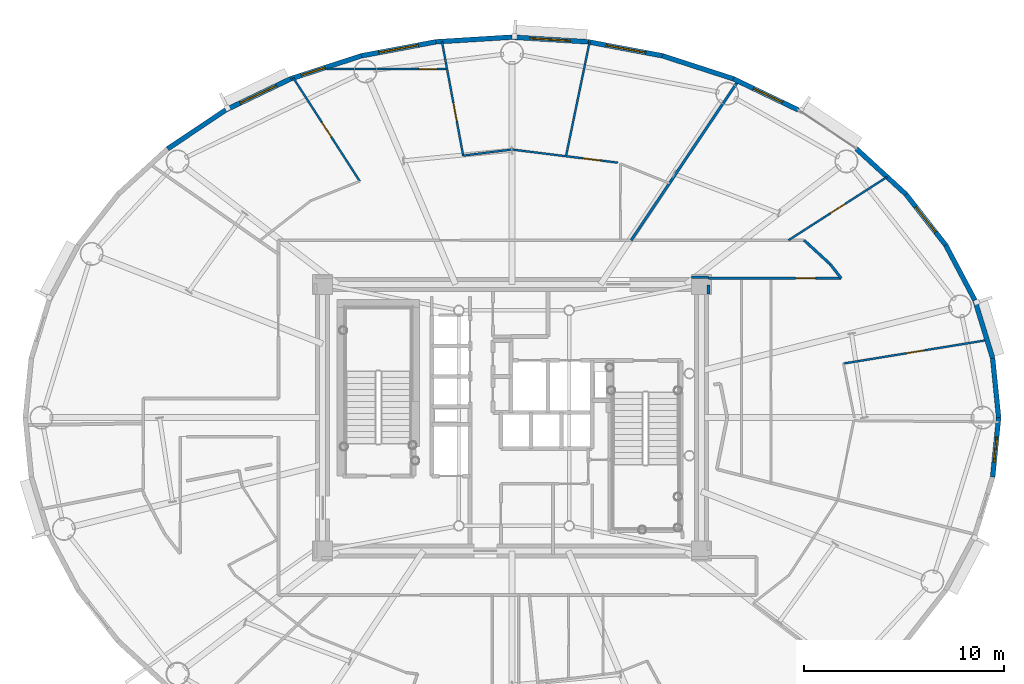
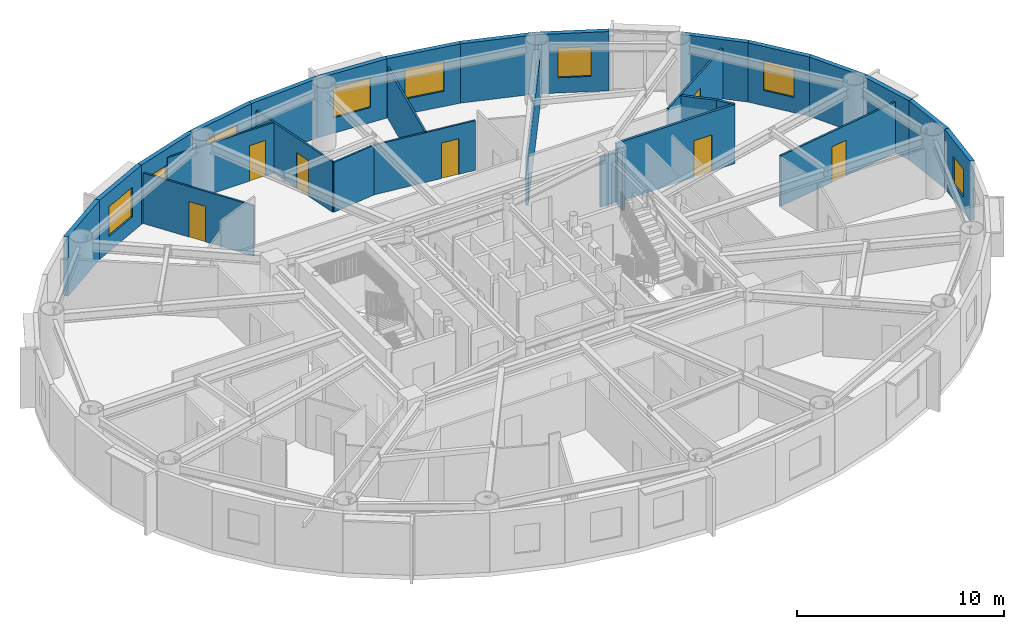
# One storey, part 13 of 21: 29 walls, 8 windows, 7 doors, 15 openings.
"""IFC4 building model written with IfcOpenShell, lengths in metres."""

from ifc_helpers import new_model, si_unit, direction, frame, frame_2d, origin, origin_2d, place, context, subcontext, project, spatial, rectangle, extrude, source, transform, mapped, material, layer, layer_set, type_object, element, fill, save


model = new_model("IFC4")

# Units and contexts
model_context = context("Model", 3, precision=1e-05, world=origin(), true_north=direction((0.0, 1.0)))
body_context = subcontext(model_context, "Body", "Model", "MODEL_VIEW")
ifc_project = project(units=[si_unit("LENGTHUNIT", "METRE"), si_unit("AREAUNIT", "SQUARE_METRE"), si_unit("VOLUMEUNIT", "CUBIC_METRE"), si_unit("PLANEANGLEUNIT", "RADIAN"), si_unit("MASSUNIT", "GRAM", prefix="KILO")], contexts=[model_context])

# Site, building, storey
site_placement = place(None, origin())
site = spatial("IfcSite", under=ifc_project, at=site_placement, CompositionType="ELEMENT")
building_placement = place(site_placement, origin())
building = spatial("IfcBuilding", under=site, at=building_placement, Name="Linh Dai School and Residence Tower", CompositionType="ELEMENT")
storey_placement = place(building_placement, frame((0.0, 0.0, 251.550048828125)))
storey = spatial("IfcBuildingStorey", under=building, at=storey_placement, Name="L62", CompositionType="ELEMENT", Elevation=251.550048828125)

# Walls
ifc_material_1 = material(Name="Precast Concrete B45 (C35/45)", Category="concrete")
ifc_layer_1 = layer(ifc_material_1, 0.239990234375)
ifc_layer_set_1 = layer_set([ifc_layer_1], Name="Precast Concrete B45 (C35/45)")
wall_type_1 = type_object("IfcWallType", Name="EW-TC-240", PredefinedType="SOLIDWALL", material=ifc_layer_set_1)
wall_1_placement = place(storey_placement, frame((59.97705078125, 29.9638671875, 0.0), z_axis=(0.0, 0.0, 1.0), x_axis=(0.099990595253, -0.994988382274, 0.0)))
element("IfcWall", 1, at=wall_1_placement, inside=storey, type_object=wall_type_1, Name="L62 Terracotta Exterior Wall 01", PredefinedType="SOLIDWALL", context=body_context, shape_type="SweptSolid", body=[
    extrude(rectangle(XDim=2.978759765625, YDim=0.239990234375, at=frame_2d((1.4892578125, 0.0))), origin(), (0.0, 0.0, 1.0), 3.5),
])
wall_2_placement = place(storey_placement, frame((59.09033203125, 32.85595703125, 0.0), z_axis=(0.0, 0.0, 1.0), x_axis=(0.293132907334, -0.95607170162, 0.0)))
element("IfcWall", 2, at=wall_2_placement, inside=storey, type_object=wall_type_1, Name="L62 Terracotta Exterior Wall 02", PredefinedType="SOLIDWALL", context=body_context, shape_type="SweptSolid", body=[
    extrude(rectangle(XDim=3.02490234375, YDim=0.239990234375, at=frame_2d((1.512451171875, 0.0))), origin(), (0.0, 0.0, 1.0), 3.5),
])
wall_3_placement = place(storey_placement, frame((57.6357421875, 35.605224609375, 0.0), z_axis=(0.0, 0.0, 1.0), x_axis=(0.46766049993, -0.883908172157, 0.0)))
element("IfcWall", 3, at=wall_3_placement, inside=storey, type_object=wall_type_1, Name="L62 Terracotta Exterior Wall 03", PredefinedType="SOLIDWALL", context=body_context, shape_type="SweptSolid", body=[
    extrude(rectangle(XDim=3.1103515625, YDim=0.239990234375, at=frame_2d((1.55517578125, 0.0))), origin(), (0.0, 0.0, 1.0), 3.5),
])

# Wall, opening, window
wall_4_placement = place(storey_placement, frame((55.6484375, 38.14453125, 0.0), z_axis=(0.0, 0.0, 1.0), x_axis=(0.616312344705, -0.787501805562, 0.0)))
wall_4 = element("IfcWall", 4, at=wall_4_placement, inside=storey, type_object=wall_type_1, Name="L62 Terracotta Exterior Wall 04", PredefinedType="SOLIDWALL", context=body_context, shape_type="SweptSolid", body=[
    extrude(rectangle(XDim=3.224609375, YDim=0.239990234375, at=frame_2d((1.6123046875, 0.0))), origin(), (0.0, 0.0, 1.0), 3.5),
])
opening_1_placement = place(wall_4_placement, frame((0.81201171875, 0.0, 0.89990234375)))
opening_1 = element("IfcOpeningElement", 5, at=opening_1_placement, cuts=wall_4, Name="Opening W2", PredefinedType="OPENING", context=body_context, shape_type="SweptSolid", body=[
    extrude(rectangle(XDim=1.60009765625, YDim=1.75, at=origin_2d()), frame((0.800048828125, 0.1298828125, 0.875), z_axis=(0.0, -1.0, 0.0), x_axis=(1.0, 0.0, 0.0)), (0.0, 0.0, 1.0), 0.260009765625),
])
ifc_material_2 = material(Name="Double Low-E Insulated Glazing", Category="glass")
window_type_1 = type_object("IfcWindowType", Name="WN-RES-1600x1750", PartitioningType="DOUBLE_PANEL_VERTICAL", PredefinedType="WINDOW", material=ifc_material_2)
shared_shape_1 = source(origin(), body_context, "Body", "SweptSolid", [
    extrude(rectangle(XDim=1.60009765625, YDim=1.75, at=origin_2d()), frame((0.800048828125, 0.030029296875, 0.875), z_axis=(0.0, -1.0, 0.0), x_axis=(1.0, 0.0, 0.0)), (0.0, 0.0, 1.0), 0.06005859375),
])
window_1_placement = place(opening_1_placement, origin())
window_1 = element("IfcWindow", 6, at=window_1_placement, inside=storey, type_object=window_type_1, Name="L62 Exterior Window 04.1", OverallHeight=1.75, OverallWidth=1.60009765625, PartitioningType="DOUBLE_PANEL_VERTICAL", PredefinedType="WINDOW", context=body_context, shape_type="MappedRepresentation", body=[
    mapped(shared_shape_1, transform((0.0, 0.0, 0.0), x_axis=(1.0, 0.0, 0.0), y_axis=(0.0, 1.0, 0.0), z_axis=(0.0, 0.0, 1.0), scale=1.0)),
])
fill(opening_1, window_1)

# Wall
wall_5_placement = place(storey_placement, frame((53.17626953125, 40.410888671875, 0.0), z_axis=(0.0, 0.0, 1.0), x_axis=(0.737123922599, -0.675757591694, 0.0)))
element("IfcWall", 7, at=wall_5_placement, inside=storey, type_object=wall_type_1, Name="L62 Terracotta Exterior Wall 05", PredefinedType="SOLIDWALL", context=body_context, shape_type="SweptSolid", body=[
    extrude(rectangle(XDim=3.353759765625, YDim=0.239990234375, at=frame_2d((1.6767578125, 0.0))), origin(), (0.0, 0.0, 1.0), 3.5),
])

# Wall, opening, window
wall_6_placement = place(storey_placement, frame((47.031005859375, 43.906494140625, 0.0), z_axis=(0.0, 0.0, 1.0), x_axis=(0.901598104751, -0.432574684313, 0.0)))
wall_6 = element("IfcWall", 8, at=wall_6_placement, inside=storey, type_object=wall_type_1, Name="L62 Terracotta Exterior Wall 07", PredefinedType="SOLIDWALL", context=body_context, shape_type="SweptSolid", body=[
    extrude(rectangle(XDim=3.603515625, YDim=0.239990234375, at=frame_2d((1.8017578125, 0.0))), origin(), (0.0, 0.0, 1.0), 3.5),
])
opening_2_placement = place(wall_6_placement, frame((1.125732421875, 0.0, 0.89990234375)))
opening_2 = element("IfcOpeningElement", 9, at=opening_2_placement, cuts=wall_6, Name="Opening W2", PredefinedType="OPENING", context=body_context, shape_type="SweptSolid", body=[
    extrude(rectangle(XDim=1.60009765625, YDim=1.75, at=origin_2d()), frame((0.800048828125, 0.1298828125, 0.875), z_axis=(0.0, -1.0, 0.0), x_axis=(1.0, 0.0, 0.0)), (0.0, 0.0, 1.0), 0.260009765625),
])
window_2_placement = place(opening_2_placement, origin())
window_2 = element("IfcWindow", 10, at=window_2_placement, inside=storey, type_object=window_type_1, Name="L62 Exterior Window 07.1", OverallHeight=1.75, OverallWidth=1.60009765625, PartitioningType="DOUBLE_PANEL_VERTICAL", PredefinedType="WINDOW", context=body_context, shape_type="MappedRepresentation", body=[
    mapped(shared_shape_1, transform((0.0, 0.0, 0.0), x_axis=(1.0, 0.0, 0.0), y_axis=(0.0, 1.0, 0.0), z_axis=(0.0, 0.0, 1.0), scale=1.0)),
])
fill(opening_2, window_2)

# Wall
wall_7_placement = place(storey_placement, frame((43.50927734375, 45.048828125, 0.0), z_axis=(0.0, 0.0, 1.0), x_axis=(0.951210789182, -0.308541787354, 0.0)))
element("IfcWall", 11, at=wall_7_placement, inside=storey, type_object=wall_type_1, Name="L62 Terracotta Exterior Wall 08", PredefinedType="SOLIDWALL", context=body_context, shape_type="SweptSolid", body=[
    extrude(rectangle(XDim=3.702392578125, YDim=0.239990234375, at=frame_2d((1.85107421875, 0.0))), origin(), (0.0, 0.0, 1.0), 3.5),
])

# Wall, opening, window
wall_8_placement = place(storey_placement, frame((39.801513671875, 45.745849609375, 0.0), z_axis=(0.0, 0.0, 1.0), x_axis=(0.982784898575, -0.184753465822, 0.0)))
wall_8 = element("IfcWall", 12, at=wall_8_placement, inside=storey, type_object=wall_type_1, Name="L62 Terracotta Exterior Wall 09", PredefinedType="SOLIDWALL", context=body_context, shape_type="SweptSolid", body=[
    extrude(rectangle(XDim=3.772705078125, YDim=0.239990234375, at=frame_2d((1.88623046875, 0.0))), origin(), (0.0, 0.0, 1.0), 3.5),
])
opening_3_placement = place(wall_8_placement, frame((0.915771484375, 0.0, 0.89990234375)))
opening_3 = element("IfcOpeningElement", 13, at=opening_3_placement, cuts=wall_8, Name="Opening W1", PredefinedType="OPENING", context=body_context, shape_type="SweptSolid", body=[
    extrude(rectangle(XDim=2.0, YDim=1.75, at=origin_2d()), frame((1.0, 0.1298828125, 0.875), z_axis=(0.0, -1.0, 0.0), x_axis=(1.0, 0.0, 0.0)), (0.0, 0.0, 1.0), 0.260009765625),
])
window_type_2 = type_object("IfcWindowType", Name="WN-RES-2000x1750", PartitioningType="DOUBLE_PANEL_VERTICAL", PredefinedType="WINDOW", material=ifc_material_2)
shared_shape_2 = source(origin(), body_context, "Body", "SweptSolid", [
    extrude(rectangle(XDim=2.0, YDim=1.75, at=origin_2d()), frame((1.0, 0.030029296875, 0.875), z_axis=(0.0, -1.0, 0.0), x_axis=(1.0, 0.0, 0.0)), (0.0, 0.0, 1.0), 0.06005859375),
])
window_3_placement = place(opening_3_placement, origin())
window_3 = element("IfcWindow", 14, at=window_3_placement, inside=storey, type_object=window_type_2, Name="L62 Exterior Window 09.1", OverallHeight=1.75, OverallWidth=2.0, PartitioningType="DOUBLE_PANEL_VERTICAL", PredefinedType="WINDOW", context=body_context, shape_type="MappedRepresentation", body=[
    mapped(shared_shape_2, transform((0.0, 0.0, 0.0), x_axis=(1.0, 0.0, 0.0), y_axis=(0.0, 1.0, 0.0), z_axis=(0.0, 0.0, 1.0), scale=1.0)),
])
fill(opening_3, window_3)

wall_9_placement = place(storey_placement, frame((36.0, 45.97998046875, 0.0), z_axis=(0.0, 0.0, 1.0), x_axis=(0.998108785312, -0.06147237333, 0.0)))
wall_9 = element("IfcWall", 15, at=wall_9_placement, inside=storey, type_object=wall_type_1, Name="L62 Terracotta Exterior Wall 10", PredefinedType="SOLIDWALL", context=body_context, shape_type="SweptSolid", body=[
    extrude(rectangle(XDim=3.808837890625, YDim=0.239990234375, at=frame_2d((1.904296875, 0.0))), origin(), (0.0, 0.0, 1.0), 3.5),
])
opening_4_placement = place(wall_9_placement, frame((0.904296875, 0.0, 0.89990234375)))
opening_4 = element("IfcOpeningElement", 16, at=opening_4_placement, cuts=wall_9, Name="Opening W1", PredefinedType="OPENING", context=body_context, shape_type="SweptSolid", body=[
    extrude(rectangle(XDim=2.0, YDim=1.75, at=origin_2d()), frame((1.0, 0.1298828125, 0.875), z_axis=(0.0, -1.0, 0.0), x_axis=(1.0, 0.0, 0.0)), (0.0, 0.0, 1.0), 0.260009765625),
])
window_4_placement = place(opening_4_placement, origin())
window_4 = element("IfcWindow", 17, at=window_4_placement, inside=storey, type_object=window_type_2, Name="L62 Exterior Window 10.1", OverallHeight=1.75, OverallWidth=2.0, PartitioningType="DOUBLE_PANEL_VERTICAL", PredefinedType="WINDOW", context=body_context, shape_type="MappedRepresentation", body=[
    mapped(shared_shape_2, transform((0.0, 0.0, 0.0), x_axis=(1.0, 0.0, 0.0), y_axis=(0.0, 1.0, 0.0), z_axis=(0.0, 0.0, 1.0), scale=1.0)),
])
fill(opening_4, window_4)

# Wall
wall_10_placement = place(storey_placement, frame((32.198486328125, 45.745849609375, 0.0), z_axis=(0.0, 0.0, 1.0), x_axis=(0.998108785312, 0.06147237333, 0.0)))
element("IfcWall", 18, at=wall_10_placement, inside=storey, type_object=wall_type_1, Name="L62 Terracotta Exterior Wall 11", PredefinedType="SOLIDWALL", context=body_context, shape_type="SweptSolid", body=[
    extrude(rectangle(XDim=3.808837890625, YDim=0.239990234375, at=frame_2d((1.904296875, 0.0))), origin(), (0.0, 0.0, 1.0), 3.5),
])

# Wall, opening, window
wall_11_placement = place(storey_placement, frame((28.49072265625, 45.048828125, 0.0), z_axis=(0.0, 0.0, 1.0), x_axis=(0.982784898575, 0.184753465822, 0.0)))
wall_11 = element("IfcWall", 19, at=wall_11_placement, inside=storey, type_object=wall_type_1, Name="L62 Terracotta Exterior Wall 12", PredefinedType="SOLIDWALL", context=body_context, shape_type="SweptSolid", body=[
    extrude(rectangle(XDim=3.772705078125, YDim=0.239990234375, at=frame_2d((1.88623046875, 0.0))), origin(), (0.0, 0.0, 1.0), 3.5),
])
opening_5_placement = place(wall_11_placement, frame((0.88623046875, 0.0, 0.89990234375)))
opening_5 = element("IfcOpeningElement", 20, at=opening_5_placement, cuts=wall_11, Name="Opening W1", PredefinedType="OPENING", context=body_context, shape_type="SweptSolid", body=[
    extrude(rectangle(XDim=2.0, YDim=1.75, at=origin_2d()), frame((1.0, 0.1298828125, 0.875), z_axis=(0.0, -1.0, 0.0), x_axis=(1.0, 0.0, 0.0)), (0.0, 0.0, 1.0), 0.260009765625),
])
window_5_placement = place(opening_5_placement, origin())
window_5 = element("IfcWindow", 21, at=window_5_placement, inside=storey, type_object=window_type_2, Name="L62 Exterior Window 12.1", OverallHeight=1.75, OverallWidth=2.0, PartitioningType="DOUBLE_PANEL_VERTICAL", PredefinedType="WINDOW", context=body_context, shape_type="MappedRepresentation", body=[
    mapped(shared_shape_2, transform((0.0, 0.0, 0.0), x_axis=(1.0, 0.0, 0.0), y_axis=(0.0, 1.0, 0.0), z_axis=(0.0, 0.0, 1.0), scale=1.0)),
])
fill(opening_5, window_5)

wall_12_placement = place(storey_placement, frame((24.968994140625, 43.906494140625, 0.0), z_axis=(0.0, 0.0, 1.0), x_axis=(0.951210789182, 0.308541787354, 0.0)))
wall_12 = element("IfcWall", 22, at=wall_12_placement, inside=storey, type_object=wall_type_1, Name="L62 Terracotta Exterior Wall 13", PredefinedType="SOLIDWALL", context=body_context, shape_type="SweptSolid", body=[
    extrude(rectangle(XDim=3.702392578125, YDim=0.239990234375, at=frame_2d((1.85107421875, 0.0))), origin(), (0.0, 0.0, 1.0), 3.5),
])
opening_6_placement = place(wall_12_placement, frame((0.542236328125, 0.0, 0.89990234375)))
opening_6 = element("IfcOpeningElement", 23, at=opening_6_placement, cuts=wall_12, Name="Opening W3", PredefinedType="OPENING", context=body_context, shape_type="SweptSolid", body=[
    extrude(rectangle(XDim=1.25, YDim=1.64990234375, at=origin_2d()), frame((0.625, 0.1298828125, 0.824951171875), z_axis=(0.0, -1.0, 0.0), x_axis=(1.0, 0.0, 0.0)), (0.0, 0.0, 1.0), 0.260009765625),
])
window_type_3 = type_object("IfcWindowType", Name="WN-RES-1250x1650", PartitioningType="SINGLE_PANEL", PredefinedType="WINDOW", material=ifc_material_2)
shared_shape_3 = source(origin(), body_context, "Body", "SweptSolid", [
    extrude(rectangle(XDim=1.25, YDim=1.64990234375, at=origin_2d()), frame((0.625, 0.030029296875, 0.824951171875), z_axis=(0.0, -1.0, 0.0), x_axis=(1.0, 0.0, 0.0)), (0.0, 0.0, 1.0), 0.06005859375),
])
window_6_placement = place(opening_6_placement, origin())
window_6 = element("IfcWindow", 24, at=window_6_placement, inside=storey, type_object=window_type_3, Name="L62 Dwelling Window U6205-LIV", OverallHeight=1.64990234375, OverallWidth=1.25, PartitioningType="SINGLE_PANEL", PredefinedType="WINDOW", context=body_context, shape_type="MappedRepresentation", body=[
    mapped(shared_shape_3, transform((0.0, 0.0, 0.0), x_axis=(1.0, 0.0, 0.0), y_axis=(0.0, 1.0, 0.0), z_axis=(0.0, 0.0, 1.0), scale=1.0)),
])
fill(opening_6, window_6)

wall_13_placement = place(storey_placement, frame((21.719970703125, 42.34765625, 0.0), z_axis=(0.0, 0.0, 1.0), x_axis=(0.901598104751, 0.432574684313, 0.0)))
wall_13 = element("IfcWall", 25, at=wall_13_placement, inside=storey, type_object=wall_type_1, Name="L62 Terracotta Exterior Wall 14", PredefinedType="SOLIDWALL", context=body_context, shape_type="SweptSolid", body=[
    extrude(rectangle(XDim=3.603515625, YDim=0.239990234375, at=frame_2d((1.8017578125, 0.0))), origin(), (0.0, 0.0, 1.0), 3.5),
])
opening_7_placement = place(wall_13_placement, frame((0.802001953125, 0.0, 0.89990234375)))
opening_7 = element("IfcOpeningElement", 26, at=opening_7_placement, cuts=wall_13, Name="Opening W1", PredefinedType="OPENING", context=body_context, shape_type="SweptSolid", body=[
    extrude(rectangle(XDim=2.0, YDim=1.75, at=origin_2d()), frame((1.0, 0.1298828125, 0.875), z_axis=(0.0, -1.0, 0.0), x_axis=(1.0, 0.0, 0.0)), (0.0, 0.0, 1.0), 0.260009765625),
])
window_7_placement = place(opening_7_placement, origin())
window_7 = element("IfcWindow", 27, at=window_7_placement, inside=storey, type_object=window_type_2, Name="L62 Exterior Window 14.1", OverallHeight=1.75, OverallWidth=2.0, PartitioningType="DOUBLE_PANEL_VERTICAL", PredefinedType="WINDOW", context=body_context, shape_type="MappedRepresentation", body=[
    mapped(shared_shape_2, transform((0.0, 0.0, 0.0), x_axis=(1.0, 0.0, 0.0), y_axis=(0.0, 1.0, 0.0), z_axis=(0.0, 0.0, 1.0), scale=1.0)),
])
fill(opening_7, window_7)

# Wall
wall_14_placement = place(storey_placement, frame((18.82373046875, 40.410888671875, 0.0), z_axis=(0.0, 0.0, 1.0), x_axis=(0.831262496074, 0.555880079352, 0.0)))
element("IfcWall", 28, at=wall_14_placement, inside=storey, type_object=wall_type_1, Name="L62 Terracotta Exterior Wall 15", PredefinedType="SOLIDWALL", context=body_context, shape_type="SweptSolid", body=[
    extrude(rectangle(XDim=3.484130859375, YDim=0.239990234375, at=frame_2d((1.7421875, 0.0))), origin(), (0.0, 0.0, 1.0), 3.5),
])

# Wall, opening, window
wall_15_placement = place(storey_placement, frame((60.27490234375, 27.0, 0.0), z_axis=(0.0, 0.0, 1.0), x_axis=(-0.099990595253, -0.994988382274, 0.0)))
wall_15 = element("IfcWall", 29, at=wall_15_placement, inside=storey, type_object=wall_type_1, Name="L62 Terracotta Exterior Wall 40", PredefinedType="SOLIDWALL", context=body_context, shape_type="SweptSolid", body=[
    extrude(rectangle(XDim=2.978759765625, YDim=0.239990234375, at=frame_2d((1.4892578125, 0.0))), origin(), (0.0, 0.0, 1.0), 3.5),
])
opening_8_placement = place(wall_15_placement, frame((0.9736328125, 0.0, 0.89990234375)))
opening_8 = element("IfcOpeningElement", 30, at=opening_8_placement, cuts=wall_15, Name="Opening W3", PredefinedType="OPENING", context=body_context, shape_type="SweptSolid", body=[
    extrude(rectangle(XDim=1.25, YDim=1.64990234375, at=origin_2d()), frame((0.625, 0.1298828125, 0.824951171875), z_axis=(0.0, -1.0, 0.0), x_axis=(1.0, 0.0, 0.0)), (0.0, 0.0, 1.0), 0.260009765625),
])
window_8_placement = place(opening_8_placement, origin())
window_8 = element("IfcWindow", 31, at=window_8_placement, inside=storey, type_object=window_type_3, Name="L62 Exterior Window 40.1", OverallHeight=1.64990234375, OverallWidth=1.25, PartitioningType="SINGLE_PANEL", PredefinedType="WINDOW", context=body_context, shape_type="MappedRepresentation", body=[
    mapped(shared_shape_3, transform((0.0, 0.0, 0.0), x_axis=(1.0, 0.0, 0.0), y_axis=(0.0, 1.0, 0.0), z_axis=(0.0, 0.0, 1.0), scale=1.0)),
])
fill(opening_8, window_8)

# Wall
ifc_material_3 = material(Name="Autoclaved Aerated Concrete Blockwork", Category="masonry")
ifc_layer_2 = layer(ifc_material_3, 0.135009765625)
ifc_layer_set_2 = layer_set([ifc_layer_2], Name="Autoclaved Aerated Concrete Blockwork")
wall_type_2 = type_object("IfcWallType", Name="IW-CORR-135-EI90", PredefinedType="PARTITIONING", material=ifc_layer_set_2)
wall_16_placement = place(storey_placement, frame((41.94580078125, 35.85009765625, 0.0), z_axis=(0.0, 0.0, 1.0), x_axis=(0.557670345873, 0.830062518931, 0.0)))
element("IfcWall", 32, at=wall_16_placement, inside=storey, type_object=wall_type_2, Name="L62 Interior Partition Wall 073", PredefinedType="PARTITIONING", context=body_context, shape_type="SweptSolid", body=[
    extrude(rectangle(XDim=9.56787109375, YDim=0.135009765625, at=frame_2d((4.783935546875, 0.0))), origin(), (0.0, 0.0, 1.0), 2.93505859375),
])

# Wall, opening, door
wall_17_placement = place(storey_placement, frame((45.800048828125, 33.949951171875, 0.0), z_axis=(0.0, 0.0, 1.0), x_axis=(1.0, 0.0, 0.0)))
wall_17 = element("IfcWall", 33, at=wall_17_placement, inside=storey, type_object=wall_type_2, Name="L62 Interior Partition Wall 077", PredefinedType="PARTITIONING", context=body_context, shape_type="SweptSolid", body=[
    extrude(rectangle(XDim=6.623779296875, YDim=0.135009765625, at=frame_2d((3.31201171875, 0.0))), origin(), (0.0, 0.0, 1.0), 3.5),
])
opening_9_placement = place(wall_17_placement, frame((4.345947265625, 0.0, 0.0)))
opening_9 = element("IfcOpeningElement", 34, at=opening_9_placement, cuts=wall_17, Name="Opening D03", PredefinedType="OPENING", context=body_context, shape_type="SweptSolid", body=[
    extrude(rectangle(XDim=1.0, YDim=2.14990234375, at=origin_2d()), frame((0.5, 0.07763671875, 1.074951171875), z_axis=(0.0, -1.0, 0.0), x_axis=(1.0, 0.0, 0.0)), (0.0, 0.0, 1.0), 0.155029296875),
])
ifc_material_4 = material(Name="Fire-Rated Solid Timber Entrance Door", Category="wood")
door_type_1 = type_object("IfcDoorType", Name="DR-FLAT-1000x2150-FD60S", OperationType="NOTDEFINED", PredefinedType="DOOR", material=ifc_material_4)
shared_shape_4 = source(origin(), body_context, "Body", "SweptSolid", [
    extrude(rectangle(XDim=1.0, YDim=2.14990234375, at=origin_2d()), frame((0.5, 0.02490234375, 1.074951171875), z_axis=(0.0, -1.0, 0.0), x_axis=(1.0, 0.0, 0.0)), (0.0, 0.0, 1.0), 0.050048828125),
])
door_1_placement = place(opening_9_placement, origin())
door_1 = element("IfcDoor", 35, at=door_1_placement, inside=storey, type_object=door_type_1, Name="L62 U6204 Apartment Entrance Door", OperationType="SINGLE_SWING_RIGHT", OverallHeight=2.14990234375, OverallWidth=1.0, PredefinedType="DOOR", context=body_context, shape_type="MappedRepresentation", body=[
    mapped(shared_shape_4, transform((0.0, 0.0, 0.0), x_axis=(1.0, 0.0, 0.0), y_axis=(0.0, 1.0, 0.0), z_axis=(0.0, 0.0, 1.0), scale=1.0)),
])
fill(opening_9, door_1)

# Walls
wall_18_placement = place(storey_placement, frame((50.56787109375, 35.85009765625, 0.0), z_axis=(0.0, 0.0, 1.0), x_axis=(0.737102657331, -0.675780787353, 0.0)))
element("IfcWall", 36, at=wall_18_placement, inside=storey, type_object=wall_type_2, Name="L62 Interior Partition Wall 086", PredefinedType="PARTITIONING", context=body_context, shape_type="SweptSolid", body=[
    extrude(rectangle(XDim=1.771728515625, YDim=0.135009765625, at=frame_2d((0.8857421875, 0.0))), origin(), (0.0, 0.0, 1.0), 3.5),
])
wall_19_placement = place(storey_placement, frame((51.873779296875, 34.65283203125, 0.0), z_axis=(0.0, 0.0, 1.0), x_axis=(0.61628613448, -0.787522317429, 0.0)))
element("IfcWall", 37, at=wall_19_placement, inside=storey, type_object=wall_type_2, Name="L62 Interior Partition Wall 087", PredefinedType="PARTITIONING", context=body_context, shape_type="SweptSolid", body=[
    extrude(rectangle(XDim=0.892578125, YDim=0.135009765625, at=frame_2d((0.4462890625, 0.0))), origin(), (0.0, 0.0, 1.0), 3.5),
])
wall_20_placement = place(storey_placement, frame((45.7900390625, 34.0, 0.0), z_axis=(0.0, 0.0, 1.0), x_axis=(-1.0, 0.0, 0.0)))
element("IfcWall", 38, at=wall_20_placement, inside=storey, type_object=wall_type_2, Name="L62 Interior Partition Wall 099", PredefinedType="PARTITIONING", context=body_context, shape_type="SweptSolid", body=[
    extrude(rectangle(XDim=0.830078125, YDim=0.135009765625, at=frame_2d((0.4150390625, 0.0))), origin(), (0.0, 0.0, 1.0), 2.93505859375),
])
ifc_layer_3 = layer(ifc_material_3, 0.14990234375)
ifc_layer_set_3 = layer_set([ifc_layer_3], Name="Autoclaved Aerated Concrete Blockwork")
wall_type_3 = type_object("IfcWallType", Name="IW-SCH-150-EI60", PredefinedType="PARTITIONING", material=ifc_layer_set_3)
wall_21_placement = place(storey_placement, frame((45.800048828125, 33.159912109375, 0.0), z_axis=(0.0, 0.0, 1.0), x_axis=(0.0, 1.0, 0.0)))
element("IfcWall", 39, at=wall_21_placement, inside=storey, type_object=wall_type_3, Name="L62 Interior Partition Wall 113", PredefinedType="PARTITIONING", context=body_context, shape_type="SweptSolid", body=[
    extrude(rectangle(XDim=0.462646484375, YDim=0.14990234375, at=frame_2d((0.2314453125, 0.0))), origin(), (0.0, 0.0, 1.0), 3.5),
])

# Wall, opening, door
ifc_material_5 = material(Name="Gypsum Plasterboard Acoustic Stud Partition", Category="masonry")
ifc_layer_4 = layer(ifc_material_5, 0.10009765625)
ifc_layer_set_4 = layer_set([ifc_layer_4], Name="Gypsum Plasterboard Acoustic Stud Partition")
wall_type_4 = type_object("IfcWallType", Name="IW-UNIT-100", PredefinedType="PARTITIONING", material=ifc_layer_set_4)
wall_22_placement = place(storey_placement, frame((25.08642578125, 43.949951171875, 0.0), z_axis=(0.0, 0.0, 1.0), x_axis=(0.54137931016, -0.840778474112, 0.0)))
wall_22 = element("IfcWall", 40, at=wall_22_placement, inside=storey, type_object=wall_type_4, Name="L62 Interior Partition Wall 021", PredefinedType="PARTITIONING", context=body_context, shape_type="SweptSolid", body=[
    extrude(rectangle(XDim=6.13134765625, YDim=0.10009765625, at=frame_2d((3.065673828125, 0.0))), origin(), (0.0, 0.0, 1.0), 2.98486328125),
])
opening_10_placement = place(wall_22_placement, frame((2.615478515625, 0.0, 0.0)))
opening_10 = element("IfcOpeningElement", 41, at=opening_10_placement, cuts=wall_22, Name="Opening D05", PredefinedType="OPENING", context=body_context, shape_type="SweptSolid", body=[
    extrude(rectangle(XDim=0.89990234375, YDim=2.10009765625, at=origin_2d()), frame((0.449951171875, 0.06005859375, 1.050048828125), z_axis=(0.0, -1.0, 0.0), x_axis=(1.0, 0.0, 0.0)), (0.0, 0.0, 1.0), 0.1201171875),
])
ifc_material_6 = material(Name="Engineered Timber Internal Door", Category="wood")
door_type_2 = type_object("IfcDoorType", Name="DR-INT-900x2100", OperationType="NOTDEFINED", PredefinedType="DOOR", material=ifc_material_6)
shared_shape_5 = source(origin(), body_context, "Body", "SweptSolid", [
    extrude(rectangle(XDim=0.89990234375, YDim=2.10009765625, at=origin_2d()), frame((0.449951171875, 0.02490234375, 1.050048828125), z_axis=(0.0, -1.0, 0.0), x_axis=(1.0, 0.0, 0.0)), (0.0, 0.0, 1.0), 0.050048828125),
])
door_2_placement = place(opening_10_placement, origin())
door_2 = element("IfcDoor", 42, at=door_2_placement, inside=storey, type_object=door_type_2, Name="L62 Apartment U6205 Principal Bedroom 3 Door", OperationType="SINGLE_SWING_LEFT", OverallHeight=2.10009765625, OverallWidth=0.89990234375, PredefinedType="DOOR", context=body_context, shape_type="MappedRepresentation", body=[
    mapped(shared_shape_5, transform((0.0, 0.0, 0.0), x_axis=(1.0, 0.0, 0.0), y_axis=(0.0, 1.0, 0.0), z_axis=(0.0, 0.0, 1.0), scale=1.0)),
])
fill(opening_10, door_2)

wall_23_placement = place(storey_placement, frame((26.771728515625, 44.383056640625, 0.0), z_axis=(0.0, 0.0, 1.0), x_axis=(1.0, 0.0, 0.0)))
wall_23 = element("IfcWall", 43, at=wall_23_placement, inside=storey, type_object=wall_type_4, Name="L62 Interior Partition Wall 024", PredefinedType="PARTITIONING", context=body_context, shape_type="SweptSolid", body=[
    extrude(rectangle(XDim=5.989990234375, YDim=0.10009765625, at=frame_2d((2.9951171875, 0.0))), origin(), (0.0, 0.0, 1.0), 2.98486328125),
])
opening_11_placement = place(wall_23_placement, frame((4.58203125, 0.0, 0.0)))
opening_11 = element("IfcOpeningElement", 44, at=opening_11_placement, cuts=wall_23, Name="Opening D05", PredefinedType="OPENING", context=body_context, shape_type="SweptSolid", body=[
    extrude(rectangle(XDim=0.89990234375, YDim=2.10009765625, at=origin_2d()), frame((0.449951171875, 0.06005859375, 1.050048828125), z_axis=(0.0, -1.0, 0.0), x_axis=(1.0, 0.0, 0.0)), (0.0, 0.0, 1.0), 0.1201171875),
])
door_3_placement = place(opening_11_placement, origin())
door_3 = element("IfcDoor", 45, at=door_3_placement, inside=storey, type_object=door_type_2, Name="L62 Apartment U6205 Kitchen Door", OperationType="SINGLE_SWING_LEFT", OverallHeight=2.10009765625, OverallWidth=0.89990234375, PredefinedType="DOOR", context=body_context, shape_type="MappedRepresentation", body=[
    mapped(shared_shape_5, transform((0.0, 0.0, 0.0), x_axis=(1.0, 0.0, 0.0), y_axis=(0.0, 1.0, 0.0), z_axis=(0.0, 0.0, 1.0), scale=1.0)),
])
fill(opening_11, door_3)

wall_24_placement = place(storey_placement, frame((32.50341796875, 45.76953125, 0.0), z_axis=(0.0, 0.0, 1.0), x_axis=(0.183138923076, -0.983087043376, 0.0)))
wall_24 = element("IfcWall", 46, at=wall_24_placement, inside=storey, type_object=wall_type_4, Name="L62 Interior Partition Wall 035", PredefinedType="PARTITIONING", context=body_context, shape_type="SweptSolid", body=[
    extrude(rectangle(XDim=5.79638671875, YDim=0.10009765625, at=frame_2d((2.898193359375, 0.0))), origin(), (0.0, 0.0, 1.0), 2.98486328125),
])
opening_12_placement = place(wall_24_placement, frame((3.13330078125, 0.0, 0.0)))
opening_12 = element("IfcOpeningElement", 47, at=opening_12_placement, cuts=wall_24, Name="Opening D05", PredefinedType="OPENING", context=body_context, shape_type="SweptSolid", body=[
    extrude(rectangle(XDim=0.89990234375, YDim=2.10009765625, at=origin_2d()), frame((0.449951171875, 0.06005859375, 1.050048828125), z_axis=(0.0, -1.0, 0.0), x_axis=(1.0, 0.0, 0.0)), (0.0, 0.0, 1.0), 0.1201171875),
])
door_4_placement = place(opening_12_placement, origin())
door_4 = element("IfcDoor", 48, at=door_4_placement, inside=storey, type_object=door_type_2, Name="L62 Apartment U6205 Bedroom 2 Door", OperationType="SINGLE_SWING_RIGHT", OverallHeight=2.10009765625, OverallWidth=0.89990234375, PredefinedType="DOOR", context=body_context, shape_type="MappedRepresentation", body=[
    mapped(shared_shape_5, transform((0.0, 0.0, 0.0), x_axis=(1.0, 0.0, 0.0), y_axis=(0.0, 1.0, 0.0), z_axis=(0.0, 0.0, 1.0), scale=1.0)),
])
fill(opening_12, door_4)

# Wall
wall_25_placement = place(storey_placement, frame((33.56494140625, 40.071533203125, 0.0), z_axis=(0.0, 0.0, 1.0), x_axis=(0.992396815028, 0.1230794927, 0.0)))
element("IfcWall", 49, at=wall_25_placement, inside=storey, type_object=wall_type_4, Name="L62 Interior Partition Wall 036", PredefinedType="PARTITIONING", context=body_context, shape_type="SweptSolid", body=[
    extrude(rectangle(XDim=2.45361328125, YDim=0.10009765625, at=frame_2d((1.226806640625, 0.0))), origin(), (0.0, 0.0, 1.0), 2.93505859375),
])

# Wall, opening, door
wall_26_placement = place(storey_placement, frame((36.0, 40.37353515625, 0.0), z_axis=(0.0, 0.0, 1.0), x_axis=(0.992398169186, -0.123068573551, 0.0)))
wall_26 = element("IfcWall", 50, at=wall_26_placement, inside=storey, type_object=wall_type_4, Name="L62 Interior Partition Wall 052", PredefinedType="PARTITIONING", context=body_context, shape_type="SweptSolid", body=[
    extrude(rectangle(XDim=5.318603515625, YDim=0.10009765625, at=frame_2d((2.6591796875, 0.0))), origin(), (0.0, 0.0, 1.0), 2.93505859375),
])
opening_13_placement = place(wall_26_placement, frame((3.54638671875, 0.0, 0.0)))
opening_13 = element("IfcOpeningElement", 51, at=opening_13_placement, cuts=wall_26, Name="Opening D05", PredefinedType="OPENING", context=body_context, shape_type="SweptSolid", body=[
    extrude(rectangle(XDim=0.89990234375, YDim=2.10009765625, at=origin_2d()), frame((0.449951171875, 0.06005859375, 1.050048828125), z_axis=(0.0, -1.0, 0.0), x_axis=(1.0, 0.0, 0.0)), (0.0, 0.0, 1.0), 0.1201171875),
])
door_5_placement = place(opening_13_placement, origin())
door_5 = element("IfcDoor", 52, at=door_5_placement, inside=storey, type_object=door_type_2, Name="L62 Apartment U6205 Bedroom 1 Door", OperationType="SINGLE_SWING_LEFT", OverallHeight=2.10009765625, OverallWidth=0.89990234375, PredefinedType="DOOR", context=body_context, shape_type="MappedRepresentation", body=[
    mapped(shared_shape_5, transform((0.0, 0.0, 0.0), x_axis=(1.0, 0.0, 0.0), y_axis=(0.0, 1.0, 0.0), z_axis=(0.0, 0.0, 1.0), scale=1.0)),
])
fill(opening_13, door_5)

# Wall
wall_27_placement = place(storey_placement, frame((38.693603515625, 40.03955078125, 0.0), z_axis=(0.0, 0.0, 1.0), x_axis=(0.20228508648, 0.979326678789, 0.0)))
element("IfcWall", 53, at=wall_27_placement, inside=storey, type_object=wall_type_4, Name="L62 Interior Partition Wall 061", PredefinedType="PARTITIONING", context=body_context, shape_type="SweptSolid", body=[
    extrude(rectangle(XDim=5.818603515625, YDim=0.10009765625, at=frame_2d((2.9091796875, 0.0))), origin(), (0.0, 0.0, 1.0), 2.98486328125),
])

# Wall, opening, door
wall_28_placement = place(storey_placement, frame((49.79248046875, 35.85009765625, 0.0), z_axis=(0.0, 0.0, 1.0), x_axis=(0.841640734873, 0.540037844416, 0.0)))
wall_28 = element("IfcWall", 54, at=wall_28_placement, inside=storey, type_object=wall_type_4, Name="L62 Interior Partition Wall 084", PredefinedType="PARTITIONING", context=body_context, shape_type="SweptSolid", body=[
    extrude(rectangle(XDim=5.84765625, YDim=0.10009765625, at=frame_2d((2.923828125, 0.0))), origin(), (0.0, 0.0, 1.0), 2.98486328125),
])
opening_14_placement = place(wall_28_placement, frame((2.473876953125, 0.0, 0.0)))
opening_14 = element("IfcOpeningElement", 55, at=opening_14_placement, cuts=wall_28, Name="Opening D05", PredefinedType="OPENING", context=body_context, shape_type="SweptSolid", body=[
    extrude(rectangle(XDim=0.89990234375, YDim=2.10009765625, at=origin_2d()), frame((0.449951171875, 0.06005859375, 1.050048828125), z_axis=(0.0, -1.0, 0.0), x_axis=(1.0, 0.0, 0.0)), (0.0, 0.0, 1.0), 0.1201171875),
])
door_6_placement = place(opening_14_placement, origin())
door_6 = element("IfcDoor", 56, at=door_6_placement, inside=storey, type_object=door_type_2, Name="L62 Apartment U6204 Principal Bedroom 2 Door", OperationType="SINGLE_SWING_LEFT", OverallHeight=2.10009765625, OverallWidth=0.89990234375, PredefinedType="DOOR", context=body_context, shape_type="MappedRepresentation", body=[
    mapped(shared_shape_5, transform((0.0, 0.0, 0.0), x_axis=(1.0, 0.0, 0.0), y_axis=(0.0, 1.0, 0.0), z_axis=(0.0, 0.0, 1.0), scale=1.0)),
])
fill(opening_14, door_6)

wall_29_placement = place(storey_placement, frame((52.5341796875, 29.697998046875, 0.0), z_axis=(0.0, 0.0, 1.0), x_axis=(0.98694585474, 0.161052413243, 0.0)))
wall_29 = element("IfcWall", 57, at=wall_29_placement, inside=storey, type_object=wall_type_4, Name="L62 Interior Partition Wall 090", PredefinedType="PARTITIONING", context=body_context, shape_type="SweptSolid", body=[
    extrude(rectangle(XDim=7.265625, YDim=0.10009765625, at=frame_2d((3.6328125, 0.0))), origin(), (0.0, 0.0, 1.0), 2.98486328125),
])
opening_15_placement = place(wall_29_placement, frame((3.182861328125, 0.0, 0.0)))
opening_15 = element("IfcOpeningElement", 58, at=opening_15_placement, cuts=wall_29, Name="Opening D05", PredefinedType="OPENING", context=body_context, shape_type="SweptSolid", body=[
    extrude(rectangle(XDim=0.89990234375, YDim=2.10009765625, at=origin_2d()), frame((0.449951171875, 0.06005859375, 1.050048828125), z_axis=(0.0, -1.0, 0.0), x_axis=(1.0, 0.0, 0.0)), (0.0, 0.0, 1.0), 0.1201171875),
])
door_7_placement = place(opening_15_placement, origin())
door_7 = element("IfcDoor", 59, at=door_7_placement, inside=storey, type_object=door_type_2, Name="L62 Apartment U6204 Study Door", OperationType="SINGLE_SWING_RIGHT", OverallHeight=2.10009765625, OverallWidth=0.89990234375, PredefinedType="DOOR", context=body_context, shape_type="MappedRepresentation", body=[
    mapped(shared_shape_5, transform((0.0, 0.0, 0.0), x_axis=(1.0, 0.0, 0.0), y_axis=(0.0, 1.0, 0.0), z_axis=(0.0, 0.0, 1.0), scale=1.0)),
])
fill(opening_15, door_7)

save(model, "model.ifc")
